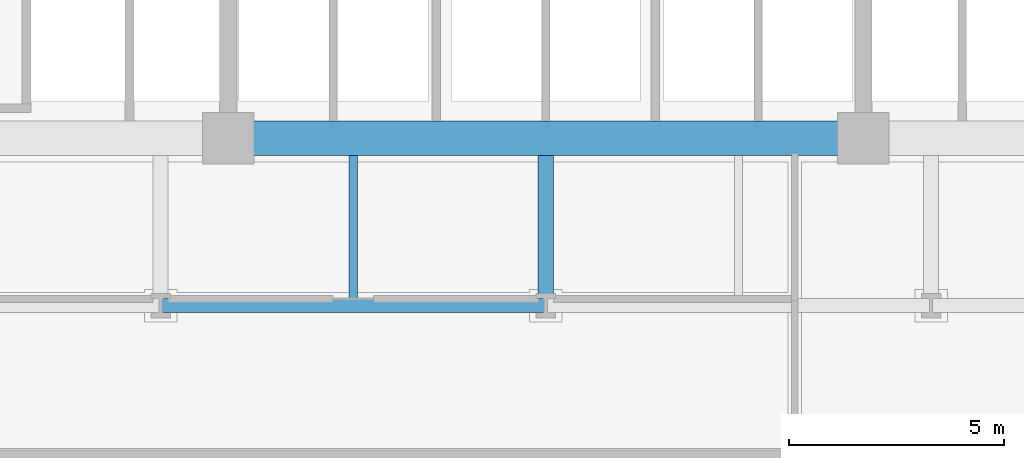
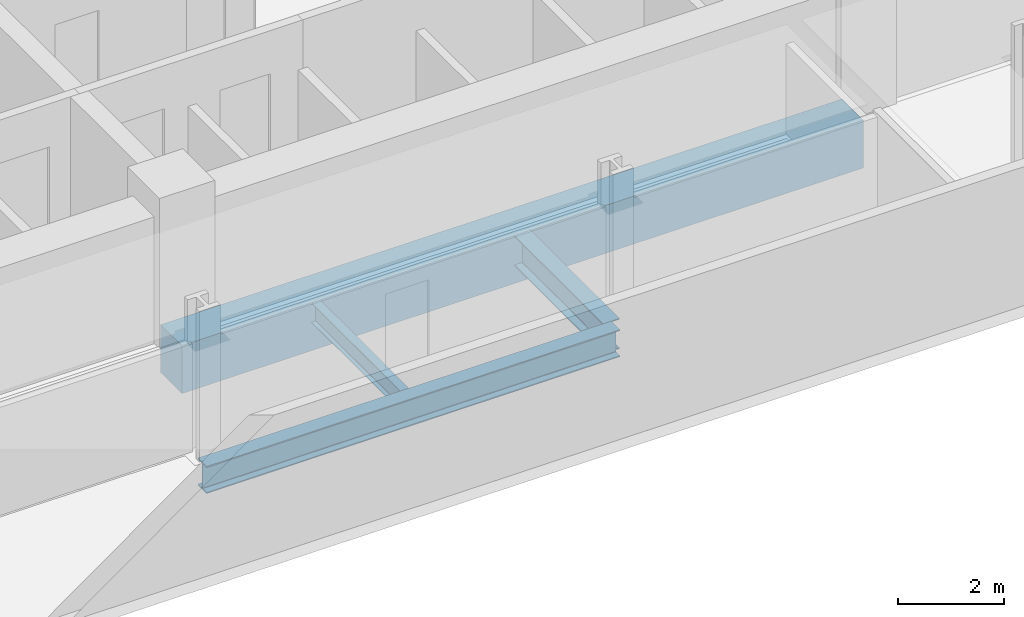
# One storey, part 3 of 21: 4 beams.
"""IFC4 building model written with IfcOpenShell, lengths in metres."""

from ifc_helpers import new_model, si_unit, direction, frame, origin, origin_2d, place, context, subcontext, project, spatial, rectangle, i_section, extrude, material, material_profile, profile_set, type_object, element, save


model = new_model("IFC4")

# Units and contexts
model_context = context("Model", 3, precision=1e-05, world=origin(), true_north=direction((0.0, 1.0)))
body_context = subcontext(model_context, "Body", "Model", "MODEL_VIEW")
ifc_project = project(units=[si_unit("LENGTHUNIT", "METRE"), si_unit("AREAUNIT", "SQUARE_METRE"), si_unit("VOLUMEUNIT", "CUBIC_METRE"), si_unit("PLANEANGLEUNIT", "RADIAN"), si_unit("MASSUNIT", "GRAM", prefix="KILO")], contexts=[model_context])

# Site, building, storey
site_placement = place(None, origin())
site = spatial("IfcSite", under=ifc_project, at=site_placement, CompositionType="ELEMENT")
building_placement = place(site_placement, origin())
building = spatial("IfcBuilding", under=site, at=building_placement, Name="Solmavex Isthmus Hotel", CompositionType="ELEMENT")
storey_placement = place(building_placement, frame((0.0, 0.0, 60.89990234375)))
storey = spatial("IfcBuildingStorey", under=building, at=storey_placement, Name="L16", CompositionType="ELEMENT", Elevation=60.89990234375)

# Beams
ifc_material_1 = material(Name="Steel ASTM A992 Grade 50", Category="steel")
ifc_material_profile_1 = material_profile(ifc_material_1, i_section(OverallWidth=0.354736328125, OverallDepth=0.695556640625, WebThickness=0.015380859375, FlangeThickness=0.02490234375, FilletRadius=0.017822265625, at=origin_2d()), Name="W27X146")
ifc_profile_set_1 = profile_set([ifc_material_profile_1], Name="Steel ASTM A992 Grade 50")
beam_type_1 = type_object("IfcBeamType", Name="BM-BG-W27X146", PredefinedType="BEAM", material=ifc_profile_set_1)
beam_1_placement = place(storey_placement, frame((0.0, -16.73681640625, -0.607666015625), z_axis=(0.0, 1.0, 0.0), x_axis=(-1.0, 0.0, 0.0)))
element("IfcBeam", 1, at=beam_1_placement, inside=storey, type_object=beam_type_1, Name="Floor Beam L16-VG35", PredefinedType="BEAM", context=body_context, shape_type="SweptSolid", body=[
    extrude(i_section(OverallWidth=0.354736328125, OverallDepth=0.695556640625, WebThickness=0.015380859375, FlangeThickness=0.02490234375, FilletRadius=0.017822265625, at=origin_2d()), origin(), (0.0, 0.0, 1.0), 3.3369140625),
])
ifc_material_profile_2 = material_profile(ifc_material_1, i_section(OverallWidth=0.1904296875, OverallDepth=0.456787109375, WebThickness=0.009033203125, FlangeThickness=0.014404296875, FilletRadius=0.0126953125, at=origin_2d()), Name="W18X50")
ifc_profile_set_2 = profile_set([ifc_material_profile_2], Name="Steel ASTM A992 Grade 50")
beam_type_2 = type_object("IfcBeamType", Name="BM-BJ-W18X50", PredefinedType="JOIST", material=ifc_profile_set_2)
beam_2_placement = place(storey_placement, frame((-4.488037109375, -16.73681640625, -0.48828125), z_axis=(0.0, 1.0, 0.0), x_axis=(-1.0, 0.0, 0.0)))
element("IfcBeam", 2, at=beam_2_placement, inside=storey, type_object=beam_type_2, Name="Secondary Floor Joist L16-J08", PredefinedType="JOIST", context=body_context, shape_type="SweptSolid", body=[
    extrude(i_section(OverallWidth=0.1904296875, OverallDepth=0.456787109375, WebThickness=0.009033203125, FlangeThickness=0.014404296875, FilletRadius=0.0126953125, at=origin_2d()), origin(), (0.0, 0.0, 1.0), 3.3369140625),
])
ifc_material_2 = material(Name="Concrete C70/85", Category="concrete")
ifc_material_profile_3 = material_profile(ifc_material_2, rectangle(XDim=0.800048828125, YDim=1.10009765625, at=origin_2d()), Name="RC800X1100")
ifc_profile_set_3 = profile_set([ifc_material_profile_3], Name="Concrete C70/85")
beam_type_3 = type_object("IfcBeamType", Name="BM-CB-800X1100", PredefinedType="BEAM", material=ifc_profile_set_3)
beam_3_placement = place(storey_placement, frame((-7.39990234375, -13.0, -0.809814453125), z_axis=(1.0, 0.0, 0.0), x_axis=(0.0, 1.0, 0.0)))
element("IfcBeam", 3, at=beam_3_placement, inside=storey, type_object=beam_type_3, Name="Core Coupling Beam L16-CB2", PredefinedType="BEAM", context=body_context, shape_type="SweptSolid", body=[
    extrude(rectangle(XDim=0.800048828125, YDim=1.10009765625, at=origin_2d()), origin(), (0.0, 0.0, 1.0), 14.7998046875),
])
ifc_material_profile_4 = material_profile(ifc_material_1, i_section(OverallWidth=0.326416015625, OverallDepth=0.621826171875, WebThickness=0.015380859375, FlangeThickness=0.0244140625, FilletRadius=0.01513671875, at=origin_2d()), Name="W24X131")
ifc_profile_set_4 = profile_set([ifc_material_profile_4], Name="Steel ASTM A992 Grade 50")
beam_type_4 = type_object("IfcBeamType", Name="BM-SP-W24X131", PredefinedType="SPANDREL", material=ifc_profile_set_4)
beam_4_placement = place(storey_placement, frame((-8.97607421875, -16.89990234375, -0.57080078125), z_axis=(1.0, 0.0, 0.0), x_axis=(0.0, 1.0, 0.0)))
element("IfcBeam", 4, at=beam_4_placement, inside=storey, type_object=beam_type_4, Name="Floor Girder L16-UG03", PredefinedType="SPANDREL", context=body_context, shape_type="SweptSolid", body=[
    extrude(i_section(OverallWidth=0.326416015625, OverallDepth=0.621826171875, WebThickness=0.015380859375, FlangeThickness=0.0244140625, FilletRadius=0.01513671875, at=origin_2d()), origin(), (0.0, 0.0, 1.0), 8.97607421875),
])

save(model, "model.ifc")
